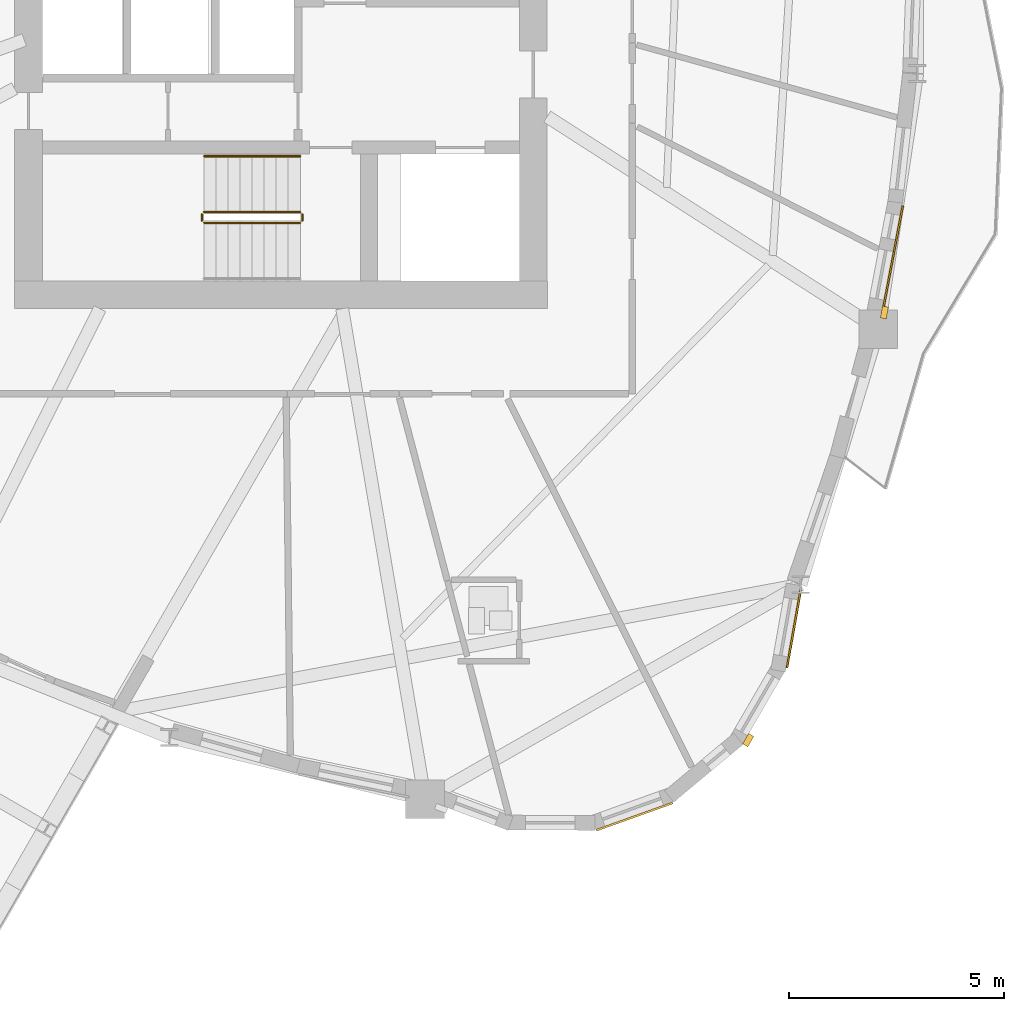
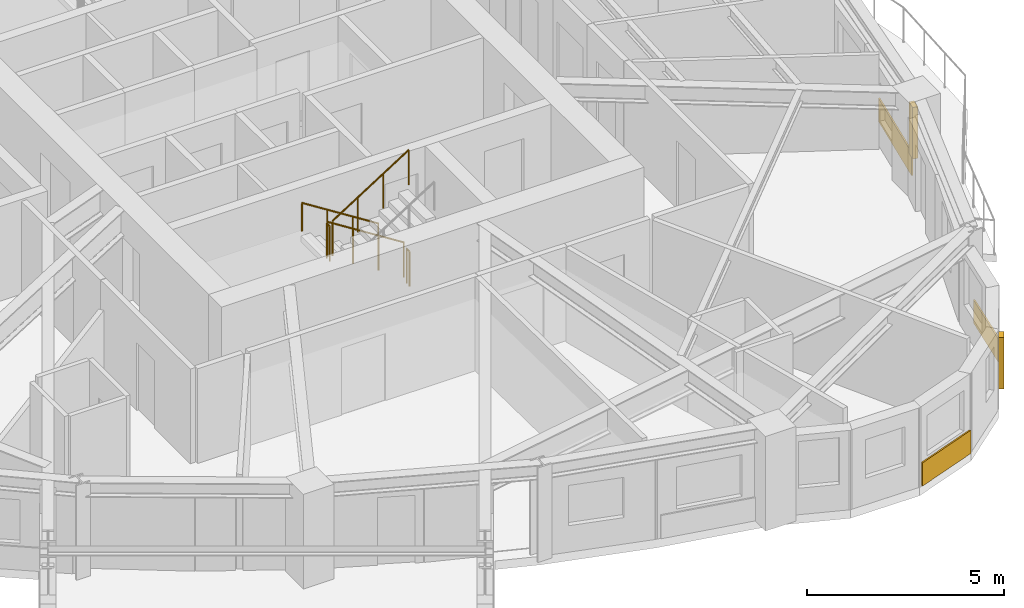
# One storey, part 13 of 17: 5 railings, 3 coverings, 2 shading devices.
"""IFC4 building model written with IfcOpenShell, lengths in metres."""

import ifcopenshell
import ifcopenshell.guid

model = None  # the IFC model being written
_history = None  # IfcOwnerHistory: only IFC2X3 demands one
_inside = {}  # id of a spatial element -> (the spatial element, [elements in it])
_under = {}  # id of a project, library or spatial element -> (it, [spatial elements below it])
_declared = {}  # id of a project -> (the project, [libraries it declares])
_typed = {}  # id of a type object -> (the type object, [elements of that type])
_made_of = {}  # id of a material, layer set ... -> (it, [elements and type objects made of it])


def new_model(schema):
    """Start an empty IFC model of exactly this schema.

    Asked for "IFC4X3", IfcOpenShell would pick the latest addendum, in which some entities
    have other attributes; the version numbers below select the first issue.
    IFC2X3 requires an IfcOwnerHistory on every rooted entity: one is made here for all.
    """
    global model, _history
    if schema == "IFC4X3":
        model = ifcopenshell.file(schema_version=(4, 3, 0, 0))
    else:
        model = ifcopenshell.file(schema=schema)
    _inside.clear()
    _under.clear()
    _declared.clear()
    _typed.clear()
    _made_of.clear()
    _history = None
    if model.schema == "IFC2X3":
        org = make("IfcOrganization", Name="unknown")
        user = make(
            "IfcPersonAndOrganization",
            ThePerson=make("IfcPerson", FamilyName="unknown"),
            TheOrganization=org,
        )
        app = make(
            "IfcApplication",
            ApplicationDeveloper=org,
            Version="unknown",
            ApplicationFullName="unknown",
            ApplicationIdentifier="unknown",
        )
        _history = make(
            "IfcOwnerHistory",
            OwningUser=user,
            OwningApplication=app,
            ChangeAction="ADDED",
            CreationDate=0,
        )
    return model


def make(cls, **values):
    """One entity of the class cls with the attributes given. An attribute that is None is left unset."""
    return model.create_entity(
        cls, **{name: value for name, value in values.items() if value is not None}
    )


def rooted(cls, **values):
    """An entity with a GlobalId (a new one), such as an element, a storey or a relation."""
    return make(cls, GlobalId=ifcopenshell.guid.new(), OwnerHistory=_history, **values)


def si_unit(unit_type, name, prefix=None):
    """IfcSIUnit, for example si_unit("LENGTHUNIT", "METRE", prefix="MILLI")."""
    return make("IfcSIUnit", UnitType=unit_type, Prefix=prefix, Name=name)


def assignment(units):
    """IfcUnitAssignment: the units of a project."""
    return None if units is None else make("IfcUnitAssignment", Units=units)


def point(xyz):
    """IfcCartesianPoint."""
    return None if xyz is None else make("IfcCartesianPoint", Coordinates=xyz)


def direction(xyz):
    """IfcDirection."""
    return None if xyz is None else make("IfcDirection", DirectionRatios=xyz)


def frame(location, z_axis=None, x_axis=None):
    """IfcAxis2Placement3D, a coordinate frame: its origin and axes. An axis left out is left unset."""
    return make(
        "IfcAxis2Placement3D",
        Location=point(location),
        Axis=direction(z_axis),
        RefDirection=direction(x_axis),
    )


def frame_2d(location, x_axis=None):
    """IfcAxis2Placement2D, a coordinate frame in the plane: its origin and x axis."""
    return make(
        "IfcAxis2Placement2D", Location=point(location), RefDirection=direction(x_axis)
    )


def origin():
    """The frame at (0, 0, 0) with its axes left unset."""
    return frame((0.0, 0.0, 0.0))


def origin_2d():
    """The frame at (0, 0) in the plane with its x axis left unset."""
    return frame_2d((0.0, 0.0))


def place(relative_to, where):
    """IfcLocalPlacement: puts the frame where relative to a parent placement (None: the world)."""
    return make(
        "IfcLocalPlacement", PlacementRelTo=relative_to, RelativePlacement=where
    )


def context(
    kind, dimensions, precision=None, world=None, true_north=None, identifier=None
):
    """IfcGeometricRepresentationContext, for example the 3D "Model" context."""
    return make(
        "IfcGeometricRepresentationContext",
        ContextIdentifier=identifier,
        ContextType=kind,
        CoordinateSpaceDimension=dimensions,
        Precision=precision,
        WorldCoordinateSystem=world,
        TrueNorth=true_north,
    )


def subcontext(parent, identifier, kind, view, scale=None):
    """IfcGeometricRepresentationSubContext, for example "Body" below "Model"."""
    return make(
        "IfcGeometricRepresentationSubContext",
        ContextIdentifier=identifier,
        ContextType=kind,
        ParentContext=parent,
        TargetScale=scale,
        TargetView=view,
    )


def project(units=None, contexts=None):
    """IfcProject with its units and contexts."""
    return rooted(
        "IfcProject",
        Name="project",
        RepresentationContexts=contexts,
        UnitsInContext=assignment(units),
    )


def spatial(cls, under=None, at=None, **own):
    """A site, building, storey or space (cls), placed at a placement, below another one or the project."""
    s = rooted(cls, ObjectPlacement=at, **own)
    if under is not None:
        _under.setdefault(under.id(), (under, []))[1].append(s)
    return s


def profile(cls, at=None, kind="AREA", **sizes):
    """A parametric profile (cls). Its sizes go by their IFC names, for example OverallWidth=200.0."""
    return make(cls, ProfileType=kind, Position=at, **sizes)


def rectangle(**sizes):
    """IfcRectangleProfileDef."""
    return profile("IfcRectangleProfileDef", **sizes)


def circle(**sizes):
    """IfcCircleProfileDef."""
    return profile("IfcCircleProfileDef", **sizes)


def extrude(swept, where, along, depth):
    """IfcExtrudedAreaSolid: the profile swept, set in the frame where, extruded along a direction by depth."""
    return make(
        "IfcExtrudedAreaSolid",
        SweptArea=swept,
        Position=where,
        ExtrudedDirection=direction(along),
        Depth=depth,
    )


def shape(context_of_items, identifier, shape_type, items):
    """IfcShapeRepresentation: the items that make up one representation, for example the "Body"."""
    return make(
        "IfcShapeRepresentation",
        ContextOfItems=context_of_items,
        RepresentationIdentifier=identifier,
        RepresentationType=shape_type,
        Items=items,
    )


def source(mapping_origin, context_of_items, identifier, shape_type, items):
    """IfcRepresentationMap: a shape defined once, which mapped items show again and again."""
    return make(
        "IfcRepresentationMap",
        MappingOrigin=mapping_origin,
        MappedRepresentation=shape(context_of_items, identifier, shape_type, items),
    )


def transform(
    local_origin,
    x_axis=None,
    y_axis=None,
    z_axis=None,
    scale=None,
    scale2=None,
    scale3=None,
    uniform=True,
):
    """IfcCartesianTransformationOperator3D, or its non-uniform kind. x_axis, y_axis, z_axis: its Axis1, 2, 3."""
    if uniform:
        return make(
            "IfcCartesianTransformationOperator3D",
            Axis1=direction(x_axis),
            Axis2=direction(y_axis),
            LocalOrigin=point(local_origin),
            Scale=scale,
            Axis3=direction(z_axis),
        )
    return make(
        "IfcCartesianTransformationOperator3DnonUniform",
        Axis1=direction(x_axis),
        Axis2=direction(y_axis),
        LocalOrigin=point(local_origin),
        Scale=scale,
        Axis3=direction(z_axis),
        Scale2=scale2,
        Scale3=scale3,
    )


def mapped(mapping_source, mapping_target):
    """IfcMappedItem: shows the shape of a source again, moved by a transform."""
    return make(
        "IfcMappedItem", MappingSource=mapping_source, MappingTarget=mapping_target
    )


def material(Name=None, Category=None):
    """IfcMaterial."""
    return make("IfcMaterial", Name=Name, Category=Category)


def layer(
    of_material, thickness, ventilated=None, Name=None, Category=None, Priority=None
):
    """IfcMaterialLayer: one layer of a wall or slab, of a material (None: an air gap)."""
    return make(
        "IfcMaterialLayer",
        Material=of_material,
        LayerThickness=thickness,
        IsVentilated=ventilated,
        Name=Name,
        Category=Category,
        Priority=Priority,
    )


def layer_set(layers, Name=None):
    """IfcMaterialLayerSet."""
    return make("IfcMaterialLayerSet", MaterialLayers=layers, LayerSetName=Name)


def made_of(thing, what):
    """Note that an element or type object is made of a material, layer set ...; save() writes the relation."""
    if what is not None:
        _made_of.setdefault(what.id(), (what, []))[1].append(thing)
    return thing


def type_object(cls, material=None, **own):
    """A type object (cls), such as IfcWallType, which elements share."""
    return made_of(rooted(cls, **own), material)


def element(
    cls,
    number,
    at=None,
    inside=None,
    cuts=None,
    type_object=None,
    material=None,
    context=None,
    identifier="Body",
    shape_type=None,
    held_by="IfcProductDefinitionShape",
    body=None,
    shapes=None,
    **own,
):
    """One element of the class cls, such as IfcWall. Its Tag is "e" and its number.

    at: its placement. inside: the storey or other place that contains it. cuts: it is an
    opening in that element (IfcRelVoidsElement). A single representation is given by context,
    identifier, shape_type and body (its items); several are given by shapes. held_by: the class
    of the entity that holds the representations. save() writes the other relations.
    """
    e = rooted(cls, Tag="e%d" % number, ObjectPlacement=at, **own)
    if body is not None:
        shapes = [shape(context, identifier, shape_type, body)]
    if shapes is not None:
        e.Representation = make(held_by, Representations=shapes)
    if inside is not None:
        _inside.setdefault(inside.id(), (inside, []))[1].append(e)
    if cuts is not None:
        rooted(
            "IfcRelVoidsElement", RelatingBuildingElement=cuts, RelatedOpeningElement=e
        )
    if type_object is not None:
        _typed.setdefault(type_object.id(), (type_object, []))[1].append(e)
    return made_of(e, material)


def aggregate(whole, parts):
    """IfcRelAggregates: a whole, such as a stair, and the parts it consists of."""
    return rooted("IfcRelAggregates", RelatingObject=whole, RelatedObjects=parts)


def save(model, path):
    """Write the relations noted so far, then the file.

    IfcRelAggregates (storeys below a building ...), IfcRelContainedInSpatialStructure (elements
    in a storey), IfcRelDefinesByType, IfcRelAssociatesMaterial and IfcRelDeclares: one each for
    every whole, place, type object, material and project.
    """
    for whole, parts in _under.values():
        aggregate(whole, parts)
    for where, things in _inside.values():
        rooted(
            "IfcRelContainedInSpatialStructure",
            RelatedElements=things,
            RelatingStructure=where,
        )
    for kind, things in _typed.values():
        rooted("IfcRelDefinesByType", RelatedObjects=things, RelatingType=kind)
    for what, things in _made_of.values():
        rooted("IfcRelAssociatesMaterial", RelatedObjects=things, RelatingMaterial=what)
    for by, libraries in _declared.values():
        rooted("IfcRelDeclares", RelatingContext=by, RelatedDefinitions=libraries)
    model.write(path)


model = new_model("IFC4")

# Units and contexts
model_context = context("Model", 3, precision=1e-05, world=origin(), true_north=direction((0.0, 1.0)))
body_context = subcontext(model_context, "Body", "Model", "MODEL_VIEW")
ifc_project = project(units=[si_unit("LENGTHUNIT", "METRE"), si_unit("AREAUNIT", "SQUARE_METRE"), si_unit("VOLUMEUNIT", "CUBIC_METRE"), si_unit("PLANEANGLEUNIT", "RADIAN"), si_unit("MASSUNIT", "GRAM", prefix="KILO")], contexts=[model_context])

# Site, building, storey
site_placement = place(None, origin())
site = spatial("IfcSite", under=ifc_project, at=site_placement, CompositionType="ELEMENT")
building_placement = place(site_placement, origin())
building = spatial("IfcBuilding", under=site, at=building_placement, Name="Qafzar Sky-Pleat Residences", CompositionType="ELEMENT")
storey_placement = place(building_placement, frame((0.0, 0.0, 112.0)))
storey = spatial("IfcBuildingStorey", under=building, at=storey_placement, Name="L33", CompositionType="ELEMENT", Elevation=112.0)

# Shading devices
ifc_material_1 = material(Name="Honed Riyadh limestone solar fin", Category="masonry")
ifc_layer_1 = layer(ifc_material_1, 0.139892578125)
ifc_layer_set_1 = layer_set([ifc_layer_1], Name="Honed Riyadh limestone solar fin")
shading_device_type = type_object("IfcShadingDeviceType", Name="SHD-FIN-STONE", PredefinedType="SHUTTER", material=ifc_layer_set_1)
shared_shape_1 = source(origin(), body_context, "Body", "SweptSolid", [
    extrude(rectangle(XDim=0.139892578125, YDim=0.280029296875, at=origin_2d()), origin(), (0.0, 0.0, 1.0), 1.60009765625),
])
for number, where, z_axis, x_axis, name in (
    (1, (41.22900390625, 7.50732421875, 0.599853515625), (0.0, 0.0, 1.0), (0.864874104555, -0.501988827833, 0.0), "L33 Limestone Solar Fin 21"),
    (2, (44.398681640625, 17.462890625, 0.599853515625), (0.0, 0.0, 1.0), (0.982428629764, -0.186638654679, 0.0), "L33 Limestone Solar Fin 25"),
):
    element("IfcShadingDevice", number, at=place(storey_placement, frame(where, z_axis=z_axis, x_axis=x_axis)), inside=storey, type_object=shading_device_type, Name=name, PredefinedType="SHUTTER", context=body_context, shape_type="MappedRepresentation", body=[
        mapped(shared_shape_1, transform((0.0, 0.0, 0.0), x_axis=(1.0, 0.0, 0.0), y_axis=(0.0, 1.0, 0.0), z_axis=(0.0, 0.0, 1.0), scale=1.0)),
    ])

# Coverings
ifc_material_2 = material(Name="Honed Riyadh Tuwaiq limestone cladding", Category="masonry")
ifc_layer_2 = layer(ifc_material_2, 0.044921875)
ifc_layer_set_2 = layer_set([ifc_layer_2], Name="Honed Riyadh Tuwaiq limestone cladding")
covering_type = type_object("IfcCoveringType", Name="COV-CLAD-STONE", PredefinedType="CLADDING", material=ifc_layer_set_2)
shared_shape_2 = source(origin(), body_context, "Body", "SweptSolid", [
    extrude(rectangle(XDim=1.88916015625, YDim=0.044921875, at=origin_2d()), origin(), (0.0, 0.0, 1.0), 0.719970703125),
])
covering_1_placement = place(storey_placement, frame((38.58203125, 5.726806640625, 0.02001953125), z_axis=(0.0, 0.0, 1.0), x_axis=(0.941482948476, 0.337060614325, 0.0)))
element("IfcCovering", 3, at=covering_1_placement, inside=storey, type_object=covering_type, Name="L33 Riyadh Limestone Spandrel Cladding 19", PredefinedType="CLADDING", context=body_context, shape_type="MappedRepresentation", body=[
    mapped(shared_shape_2, transform((0.0, 0.0, 0.0), x_axis=(1.0, 0.0, 0.0), y_axis=(0.0, 1.0, 0.0), z_axis=(0.0, 0.0, 1.0), scale=1.0)),
])
shared_shape_3 = source(origin(), body_context, "Body", "SweptSolid", [
    extrude(rectangle(XDim=1.8369140625, YDim=0.044921875, at=origin_2d()), origin(), (0.0, 0.0, 1.0), 0.719970703125),
])
covering_2_placement = place(storey_placement, frame((42.290283203125, 10.09619140625, 0.02001953125), z_axis=(0.0, 0.0, 1.0), x_axis=(0.174369449256, 0.984680300994, 0.0)))
element("IfcCovering", 4, at=covering_2_placement, inside=storey, type_object=covering_type, Name="L33 Riyadh Limestone Spandrel Cladding 22", PredefinedType="CLADDING", context=body_context, shape_type="MappedRepresentation", body=[
    mapped(shared_shape_3, transform((0.0, 0.0, 0.0), x_axis=(1.0, 0.0, 0.0), y_axis=(0.0, 1.0, 0.0), z_axis=(0.0, 0.0, 1.0), scale=1.0)),
])
shared_shape_4 = source(origin(), body_context, "Body", "SweptSolid", [
    extrude(rectangle(XDim=2.552734375, YDim=0.044921875, at=origin_2d()), origin(), (0.0, 0.0, 1.0), 0.719970703125),
])
covering_3_placement = place(storey_placement, frame((44.588134765625, 18.689697265625, 0.02001953125), z_axis=(0.0, 0.0, 1.0), x_axis=(0.186648735935, 0.982426714505, 0.0)))
element("IfcCovering", 5, at=covering_3_placement, inside=storey, type_object=covering_type, Name="L33 Riyadh Limestone Spandrel Cladding 25", PredefinedType="CLADDING", context=body_context, shape_type="MappedRepresentation", body=[
    mapped(shared_shape_4, transform((0.0, 0.0, 0.0), x_axis=(1.0, 0.0, 0.0), y_axis=(0.0, 1.0, 0.0), z_axis=(0.0, 0.0, 1.0), scale=1.0)),
])

# Railings
ifc_material_3 = material(Name="Painted Steel S355 stair guardrail", Category="steel")
railing_type_1 = type_object("IfcRailingType", Name="RAIL-STAIR-GUARD", PredefinedType="GUARDRAIL", material=ifc_material_3)
shared_shape_5 = source(origin(), body_context, "Body", "SweptSolid", [
    extrude(circle(Radius=0.02392578125, at=origin_2d()), frame((0.0, 0.0, 1.076171875), z_axis=(0.0, -1.0, 0.0), x_axis=(1.0, 0.0, 0.0)), (0.0, 0.0, 1.0), 0.14990234375),
    extrude(circle(Radius=0.02099609375, at=origin_2d()), origin(), (0.0, 0.0, 1.0), 1.052001953125),
    extrude(circle(Radius=0.02099609375, at=origin_2d()), frame((0.0, -0.14990234375, 0.0)), (0.0, 0.0, 1.0), 1.052001953125),
])
for number, where, name in (
    (6, (28.510009765625, 19.75, 1.60009765625), "L33 ST1 stair guard 2"),
    (7, (30.85009765625, 19.75, 0.0), "L33 ST1 stair guard 4"),
):
    element("IfcRailing", number, at=place(storey_placement, frame(where)), inside=storey, type_object=railing_type_1, Name=name, PredefinedType="GUARDRAIL", context=body_context, shape_type="MappedRepresentation", body=[
        mapped(shared_shape_5, transform((0.0, 0.0, 0.0), x_axis=(1.0, 0.0, 0.0), y_axis=(0.0, 1.0, 0.0), z_axis=(0.0, 0.0, 1.0), scale=1.0)),
    ])
shared_shape_6 = source(origin(), body_context, "Body", "SweptSolid", [
    extrude(circle(Radius=0.02392578125, at=origin_2d()), frame((0.0, 0.0, 1.076171875), z_axis=(0.8442293374, 0.0, 0.53598211339), x_axis=(0.0, 1.0, 0.0)), (0.0, 0.0, 1.0), 2.6533203125),
    extrude(circle(Radius=0.02099609375, at=origin_2d()), origin(), (0.0, 0.0, 1.0), 1.052001953125),
    extrude(circle(Radius=0.02099609375, at=origin_2d()), frame((0.74658203125, 0.0, 0.47412109375)), (0.0, 0.0, 1.0), 1.052001953125),
    extrude(circle(Radius=0.02099609375, at=origin_2d()), frame((1.493408203125, 0.0, 0.947998046875)), (0.0, 0.0, 1.0), 1.052001953125),
    extrude(circle(Radius=0.02099609375, at=origin_2d()), frame((2.239990234375, 0.0, 1.422119140625)), (0.0, 0.0, 1.0), 1.052001953125),
])
railing_1_placement = place(storey_placement, frame((28.56005859375, 19.550048828125, 1.77783203125)))
element("IfcRailing", 8, at=railing_1_placement, inside=storey, type_object=railing_type_1, Name="L33 ST1 stair guard 3", PredefinedType="GUARDRAIL", context=body_context, shape_type="MappedRepresentation", body=[
    mapped(shared_shape_6, transform((0.0, 0.0, 0.0), x_axis=(1.0, 0.0, 0.0), y_axis=(0.0, 1.0, 0.0), z_axis=(0.0, 0.0, 1.0), scale=1.0)),
])
shared_shape_7 = source(origin(), body_context, "Body", "SweptSolid", [
    extrude(circle(Radius=0.02392578125, at=origin_2d()), frame((0.0, 0.0, 1.076171875), z_axis=(-0.84418770128, 0.0, 0.536047689118), x_axis=(0.0, -1.0, 0.0)), (0.0, 0.0, 1.0), 2.6533203125),
    extrude(circle(Radius=0.02099609375, at=origin_2d()), origin(), (0.0, 0.0, 1.0), 1.052001953125),
    extrude(circle(Radius=0.02099609375, at=origin_2d()), frame((-0.74658203125, 0.0, 0.47412109375)), (0.0, 0.0, 1.0), 1.052001953125),
    extrude(circle(Radius=0.02099609375, at=origin_2d()), frame((-1.493408203125, 0.0, 0.9482421875)), (0.0, 0.0, 1.0), 1.052001953125),
    extrude(circle(Radius=0.02099609375, at=origin_2d()), frame((-2.239990234375, 0.0, 1.42236328125)), (0.0, 0.0, 1.0), 1.052001953125),
])
railing_2_placement = place(storey_placement, frame((30.800048828125, 19.800048828125, 0.177734375)))
element("IfcRailing", 9, at=railing_2_placement, inside=storey, type_object=railing_type_1, Name="L33 ST1 stair guard 1", PredefinedType="GUARDRAIL", context=body_context, shape_type="MappedRepresentation", body=[
    mapped(shared_shape_7, transform((0.0, 0.0, 0.0), x_axis=(1.0, 0.0, 0.0), y_axis=(0.0, 1.0, 0.0), z_axis=(0.0, 0.0, 1.0), scale=1.0)),
])
ifc_material_4 = material(Name="Brushed stainless steel handrail", Category="steel")
railing_type_2 = type_object("IfcRailingType", Name="RAIL-STAIR-HAND", PredefinedType="HANDRAIL", material=ifc_material_4)
shared_shape_8 = source(origin(), body_context, "Body", "SweptSolid", [
    extrude(circle(Radius=0.02392578125, at=origin_2d()), frame((0.0, 0.0, 0.8759765625), z_axis=(-0.84418770128, 0.0, 0.536047689118), x_axis=(0.0, -1.0, 0.0)), (0.0, 0.0, 1.0), 2.6533203125),
    extrude(circle(Radius=0.02099609375, at=origin_2d()), origin(), (0.0, 0.0, 1.0), 0.851806640625),
    extrude(circle(Radius=0.02099609375, at=origin_2d()), frame((-0.74658203125, 0.0, 0.47412109375)), (0.0, 0.0, 1.0), 0.851806640625),
    extrude(circle(Radius=0.02099609375, at=origin_2d()), frame((-1.493408203125, 0.0, 0.9482421875)), (0.0, 0.0, 1.0), 0.851806640625),
    extrude(circle(Radius=0.02099609375, at=origin_2d()), frame((-2.239990234375, 0.0, 1.42236328125)), (0.0, 0.0, 1.0), 0.851806640625),
])
railing_3_placement = place(storey_placement, frame((30.800048828125, 21.10009765625, 0.177734375)))
element("IfcRailing", 10, at=railing_3_placement, inside=storey, type_object=railing_type_2, Name="L33 ST1 stair handrail 1", PredefinedType="HANDRAIL", context=body_context, shape_type="MappedRepresentation", body=[
    mapped(shared_shape_8, transform((0.0, 0.0, 0.0), x_axis=(1.0, 0.0, 0.0), y_axis=(0.0, 1.0, 0.0), z_axis=(0.0, 0.0, 1.0), scale=1.0)),
])

save(model, "model.ifc")
